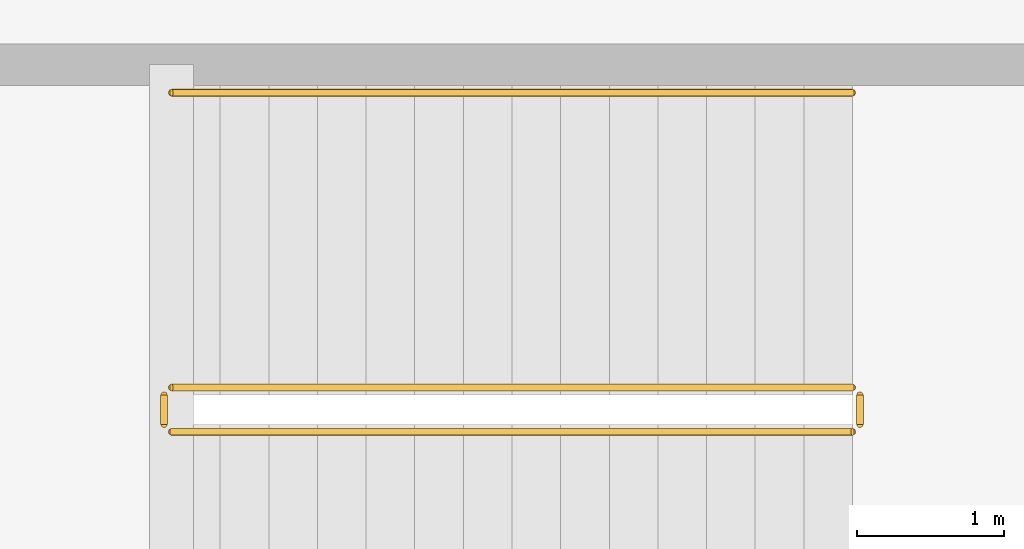
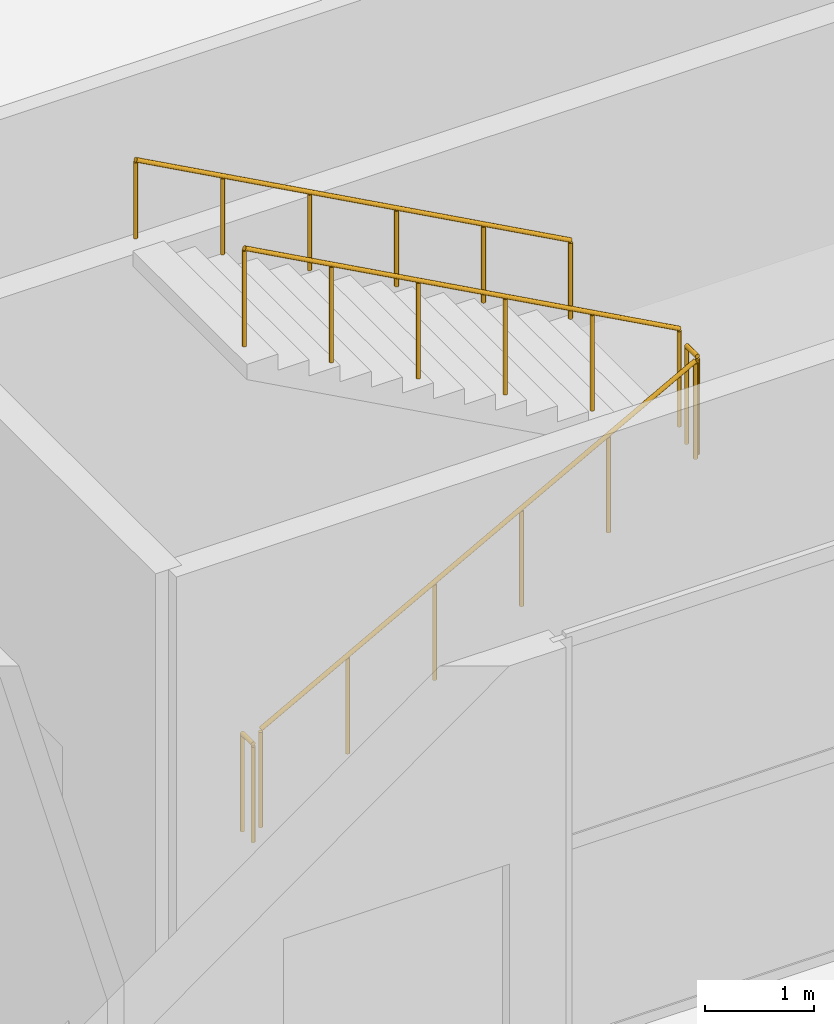
# One storey, part 83 of 87: 5 railings.
"""IFC4 building model written with IfcOpenShell, lengths in metres."""

from ifc_helpers import new_model, si_unit, direction, frame, origin, origin_2d, place, context, subcontext, project, spatial, circle, extrude, material, type_object, element, save


model = new_model("IFC4")

# Units and contexts
model_context = context("Model", 3, precision=1e-05, world=origin(), true_north=direction((0.0, 1.0)))
body_context = subcontext(model_context, "Body", "Model", "MODEL_VIEW")
ifc_project = project(units=[si_unit("LENGTHUNIT", "METRE"), si_unit("AREAUNIT", "SQUARE_METRE"), si_unit("VOLUMEUNIT", "CUBIC_METRE"), si_unit("PLANEANGLEUNIT", "RADIAN"), si_unit("MASSUNIT", "GRAM", prefix="KILO")], contexts=[model_context])

# Site, building, storey
site_placement = place(None, origin())
site = spatial("IfcSite", under=ifc_project, at=site_placement, CompositionType="ELEMENT")
building_placement = place(site_placement, origin())
building = spatial("IfcBuilding", under=site, at=building_placement, Name="Kimbaza Rail Terminus", CompositionType="ELEMENT")
storey_placement = place(building_placement, origin())
storey = spatial("IfcBuildingStorey", under=building, at=storey_placement, Name="L00", CompositionType="ELEMENT", Elevation=0.0)

# Railings
ifc_material_1 = material(Name="Brushed stainless steel handrail", Category="steel")
railing_type_1 = type_object("IfcRailingType", Name="ARC-RL-HND92", PredefinedType="HANDRAIL", material=ifc_material_1)
railing_1_placement = place(storey_placement, frame((148.320068359375, 47.550048828125, 2.8798828125)))
element("IfcRailing", 1, at=railing_1_placement, inside=storey, type_object=railing_type_1, Name="L00 ST-S2 stair handrail 2", PredefinedType="HANDRAIL", context=body_context, shape_type="SweptSolid", body=[
    extrude(circle(Radius=0.02392578125, at=origin_2d()), frame((0.0, 0.0, 0.8759765625), z_axis=(-0.877899118682, 0.0, 0.478845630049), x_axis=(0.0, -1.0, 0.0)), (0.0, 0.0, 1.0), 5.2626953125),
    extrude(circle(Radius=0.02099609375, at=origin_2d()), origin(), (0.0, 0.0, 1.0), 0.851806640625),
    extrude(circle(Radius=0.02099609375, at=origin_2d()), frame((-0.924072265625, 0.0, 0.50390625)), (0.0, 0.0, 1.0), 0.851806640625),
    extrude(circle(Radius=0.02099609375, at=origin_2d()), frame((-1.84814453125, 0.0, 1.008056640625)), (0.0, 0.0, 1.0), 0.851806640625),
    extrude(circle(Radius=0.02099609375, at=origin_2d()), frame((-2.77197265625, 0.0, 1.511962890625)), (0.0, 0.0, 1.0), 0.851806640625),
    extrude(circle(Radius=0.02099609375, at=origin_2d()), frame((-3.696044921875, 0.0, 2.01611328125)), (0.0, 0.0, 1.0), 0.851806640625),
    extrude(circle(Radius=0.02099609375, at=origin_2d()), frame((-4.6201171875, 0.0, 2.52001953125)), (0.0, 0.0, 1.0), 0.851806640625),
])
ifc_material_2 = material(Name="Painted tubular steel stair well guard", Category="steel")
railing_type_2 = type_object("IfcRailingType", Name="ARC-RL-STGRD", PredefinedType="GUARDRAIL", material=ifc_material_2)
railing_2_placement = place(storey_placement, frame((143.699951171875, 45.25, 0.179931640625)))
element("IfcRailing", 2, at=railing_2_placement, inside=storey, type_object=railing_type_2, Name="L00 ST-S2 stair guard 1", PredefinedType="GUARDRAIL", context=body_context, shape_type="SweptSolid", body=[
    extrude(circle(Radius=0.02392578125, at=origin_2d()), frame((0.0, 0.0, 1.09619140625), z_axis=(0.877899118682, 0.0, 0.478845630049), x_axis=(0.0, 1.0, 0.0)), (0.0, 0.0, 1.0), 5.2626953125),
    extrude(circle(Radius=0.02099609375, at=origin_2d()), origin(), (0.0, 0.0, 1.0), 1.072021484375),
    extrude(circle(Radius=0.02099609375, at=origin_2d()), frame((0.924072265625, 0.0, 0.50390625)), (0.0, 0.0, 1.0), 1.072021484375),
    extrude(circle(Radius=0.02099609375, at=origin_2d()), frame((1.84814453125, 0.0, 1.008056640625)), (0.0, 0.0, 1.0), 1.072021484375),
    extrude(circle(Radius=0.02099609375, at=origin_2d()), frame((2.77197265625, 0.0, 1.511962890625)), (0.0, 0.0, 1.0), 1.072021484375),
    extrude(circle(Radius=0.02099609375, at=origin_2d()), frame((3.696044921875, 0.0, 2.01611328125)), (0.0, 0.0, 1.0), 1.072021484375),
    extrude(circle(Radius=0.02099609375, at=origin_2d()), frame((4.6201171875, 0.0, 2.52001953125)), (0.0, 0.0, 1.0), 1.072021484375),
])
railing_3_placement = place(storey_placement, frame((148.3701171875, 45.300048828125, 2.699951171875)))
element("IfcRailing", 3, at=railing_3_placement, inside=storey, type_object=railing_type_2, Name="L00 ST-S2 stair guard 2", PredefinedType="GUARDRAIL", context=body_context, shape_type="SweptSolid", body=[
    extrude(circle(Radius=0.02392578125, at=origin_2d()), frame((0.0, 0.0, 1.09619140625), z_axis=(0.0, 1.0, 0.0), x_axis=(-1.0, 0.0, 0.0)), (0.0, 0.0, 1.0), 0.199951171875),
    extrude(circle(Radius=0.02099609375, at=origin_2d()), origin(), (0.0, 0.0, 1.0), 1.072021484375),
    extrude(circle(Radius=0.02099609375, at=origin_2d()), frame((0.0, 0.199951171875, 0.0)), (0.0, 0.0, 1.0), 1.072021484375),
])
railing_4_placement = place(storey_placement, frame((148.320068359375, 45.550048828125, 2.8798828125)))
element("IfcRailing", 4, at=railing_4_placement, inside=storey, type_object=railing_type_2, Name="L00 ST-S2 stair guard 3", PredefinedType="GUARDRAIL", context=body_context, shape_type="SweptSolid", body=[
    extrude(circle(Radius=0.02392578125, at=origin_2d()), frame((0.0, 0.0, 1.09619140625), z_axis=(-0.877899118682, 0.0, 0.478845630049), x_axis=(0.0, -1.0, 0.0)), (0.0, 0.0, 1.0), 5.2626953125),
    extrude(circle(Radius=0.02099609375, at=origin_2d()), origin(), (0.0, 0.0, 1.0), 1.072021484375),
    extrude(circle(Radius=0.02099609375, at=origin_2d()), frame((-0.924072265625, 0.0, 0.50390625)), (0.0, 0.0, 1.0), 1.072021484375),
    extrude(circle(Radius=0.02099609375, at=origin_2d()), frame((-1.84814453125, 0.0, 1.008056640625)), (0.0, 0.0, 1.0), 1.072021484375),
    extrude(circle(Radius=0.02099609375, at=origin_2d()), frame((-2.77197265625, 0.0, 1.511962890625)), (0.0, 0.0, 1.0), 1.072021484375),
    extrude(circle(Radius=0.02099609375, at=origin_2d()), frame((-3.696044921875, 0.0, 2.01611328125)), (0.0, 0.0, 1.0), 1.072021484375),
    extrude(circle(Radius=0.02099609375, at=origin_2d()), frame((-4.6201171875, 0.0, 2.52001953125)), (0.0, 0.0, 1.0), 1.072021484375),
])
railing_5_placement = place(storey_placement, frame((143.64990234375, 45.300048828125, 0.0)))
element("IfcRailing", 5, at=railing_5_placement, inside=storey, type_object=railing_type_2, Name="L00 ST-S2 stair guard 4", PredefinedType="GUARDRAIL", context=body_context, shape_type="SweptSolid", body=[
    extrude(circle(Radius=0.02392578125, at=origin_2d()), frame((0.0, 0.0, 1.09619140625), z_axis=(0.0, 1.0, 0.0), x_axis=(-1.0, 0.0, 0.0)), (0.0, 0.0, 1.0), 0.199951171875),
    extrude(circle(Radius=0.02099609375, at=origin_2d()), origin(), (0.0, 0.0, 1.0), 1.072021484375),
    extrude(circle(Radius=0.02099609375, at=origin_2d()), frame((0.0, 0.199951171875, 0.0)), (0.0, 0.0, 1.0), 1.072021484375),
])

save(model, "model.ifc")
